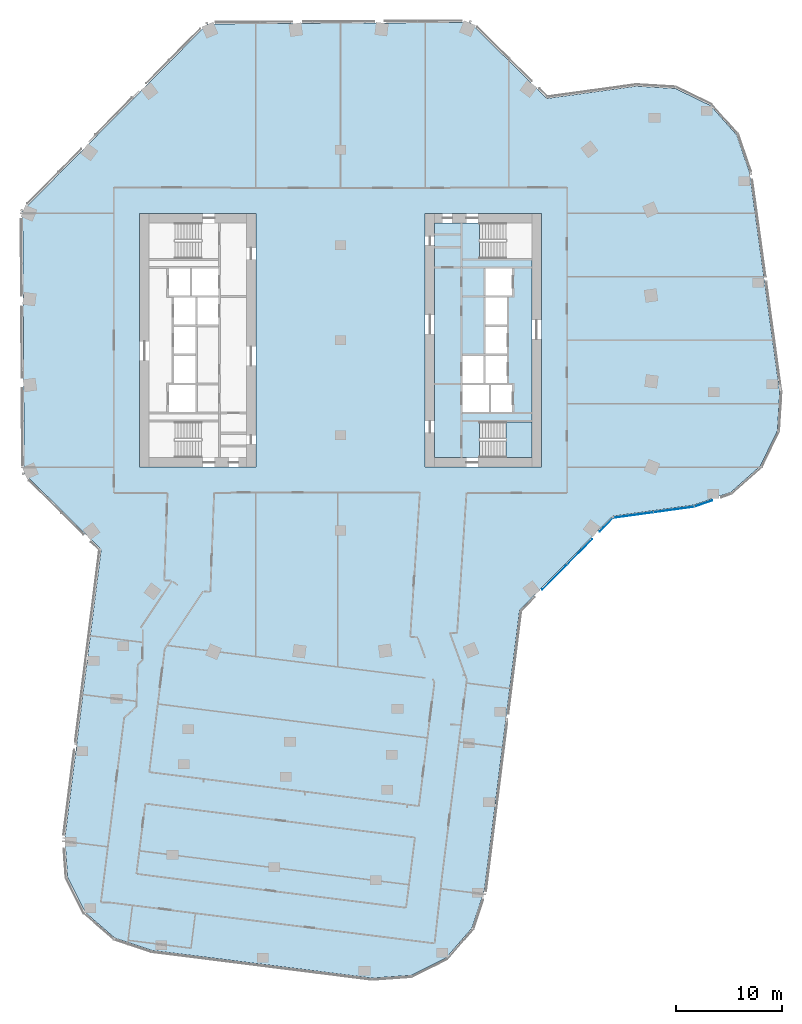
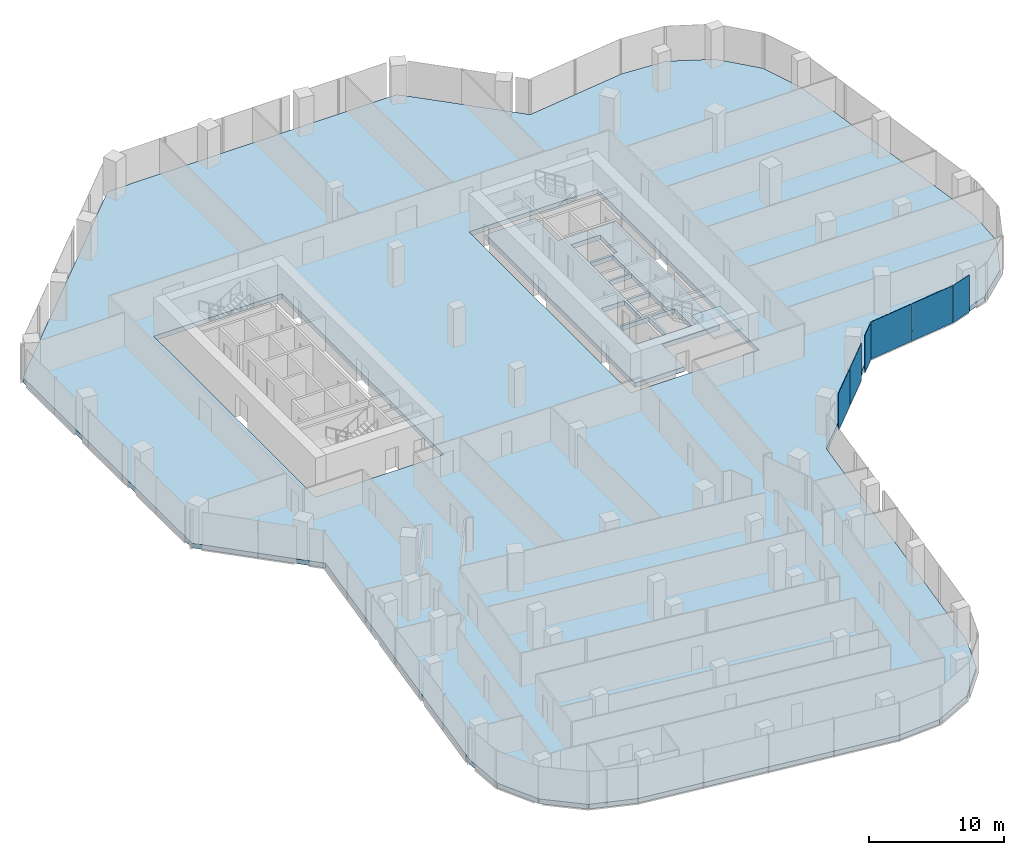
# One storey, part 15 of 27: 6 plates, 3 slabs, 4 elements without a shape of their own.
"""IFC4 building model written with IfcOpenShell, lengths in metres."""

from ifc_helpers import new_model, si_unit, direction, frame, origin, origin_2d, place, context, subcontext, project, spatial, polyline, rectangle, outline, extrude, material, layer, layer_set, type_object, element, aggregate, save


model = new_model("IFC4")

# Units and contexts
model_context = context("Model", 3, precision=1e-05, world=origin(), true_north=direction((0.0, 1.0)))
body_context = subcontext(model_context, "Body", "Model", "MODEL_VIEW")
ifc_project = project(units=[si_unit("LENGTHUNIT", "METRE"), si_unit("AREAUNIT", "SQUARE_METRE"), si_unit("VOLUMEUNIT", "CUBIC_METRE"), si_unit("PLANEANGLEUNIT", "RADIAN"), si_unit("MASSUNIT", "GRAM", prefix="KILO")], contexts=[model_context])

# Site, building, storey
site_placement = place(None, origin())
site = spatial("IfcSite", under=ifc_project, at=site_placement, CompositionType="ELEMENT")
building_placement = place(site_placement, origin())
building = spatial("IfcBuilding", under=site, at=building_placement, Name="Orlundy Tower", CompositionType="ELEMENT")
storey_placement = place(building_placement, frame((0.0, 0.0, 192.10009765625)))
storey = spatial("IfcBuildingStorey", under=building, at=storey_placement, Name="L50", CompositionType="ELEMENT", Elevation=192.10009765625)

# Curtain wall, plate
ifc_material_1 = material(Name="Aluminium bronze anodised", Category="aluminium")
curtain_wall_type = type_object("IfcCurtainWallType", Name="CW1 wall", PredefinedType="NOTDEFINED", material=ifc_material_1)
curtain_wall_1_placement = place(storey_placement, origin())
curtain_wall_1 = element("IfcCurtainWall", 1, at=curtain_wall_1_placement, inside=storey, type_object=curtain_wall_type, Name="CW1 run 015", PredefinedType="NOTDEFINED")
ifc_material_2 = material(Name="Tinted glass", Category="glass")
ifc_layer_1 = layer(ifc_material_2, 0.031982421875)
ifc_layer_set_1 = layer_set([ifc_layer_1], Name="CW1 glass panel 32")
plate_type = type_object("IfcPlateType", Name="CW1 glass panel 32", PredefinedType="CURTAIN_PANEL", material=ifc_layer_set_1)
plate_1_placement = place(storey_placement, frame((34.3330078125, -15.451416015625, -0.300048828125), z_axis=(0.0, 0.0, 1.0), x_axis=(-0.945034174317, -0.32697157273, 0.0)))
plate_1 = element("IfcPlate", 2, at=plate_1_placement, type_object=plate_type, Name="CW1 panel", PredefinedType="CURTAIN_PANEL", context=body_context, shape_type="SweptSolid", body=[
    extrude(rectangle(XDim=1.764892578125, YDim=0.031982421875, at=origin_2d()), origin(), (0.0, 0.0, 1.0), 3.3798828125),
])
aggregate(curtain_wall_1, [plate_1])

# Curtain wall, plates
curtain_wall_2_placement = place(storey_placement, origin())
curtain_wall_2 = element("IfcCurtainWall", 3, at=curtain_wall_2_placement, inside=storey, type_object=curtain_wall_type, Name="CW1 run 016", PredefinedType="NOTDEFINED")
plate_2_placement = place(storey_placement, frame((31.539306640625, -16.0146484375, -0.300048828125), z_axis=(0.0, 0.0, 1.0), x_axis=(-0.990668435814, -0.13629398476, 0.0)))
plate_2 = element("IfcPlate", 4, at=plate_2_placement, type_object=plate_type, Name="CW1 panel", PredefinedType="CURTAIN_PANEL", context=body_context, shape_type="SweptSolid", body=[
    extrude(rectangle(XDim=3.8583984375, YDim=0.031982421875, at=origin_2d()), origin(), (0.0, 0.0, 1.0), 3.3798828125),
])
plate_3_placement = place(storey_placement, frame((27.6904296875, -16.544189453125, -0.300048828125), z_axis=(0.0, 0.0, 1.0), x_axis=(-0.990668435814, -0.13629398476, 0.0)))
plate_3 = element("IfcPlate", 5, at=plate_3_placement, type_object=plate_type, Name="CW1 panel", PredefinedType="CURTAIN_PANEL", context=body_context, shape_type="SweptSolid", body=[
    extrude(rectangle(XDim=3.811767578125, YDim=0.031982421875, at=origin_2d()), origin(), (0.0, 0.0, 1.0), 3.3798828125),
])
aggregate(curtain_wall_2, [plate_2, plate_3])

curtain_wall_3_placement = place(storey_placement, origin())
curtain_wall_3 = element("IfcCurtainWall", 6, at=curtain_wall_3_placement, inside=storey, type_object=curtain_wall_type, Name="CW1 run 017", PredefinedType="NOTDEFINED")
plate_4_placement = place(storey_placement, frame((25.166259765625, -17.44775390625, -0.300048828125), z_axis=(0.0, 0.0, 1.0), x_axis=(-0.702970467781, -0.711219038994, 0.0)))
plate_4 = element("IfcPlate", 7, at=plate_4_placement, type_object=plate_type, Name="CW1 panel", PredefinedType="CURTAIN_PANEL", context=body_context, shape_type="SweptSolid", body=[
    extrude(rectangle(XDim=1.810302734375, YDim=0.031982421875, at=origin_2d()), origin(), (0.0, 0.0, 1.0), 3.3798828125),
])
plate_5_placement = place(storey_placement, frame((22.641357421875, -20.002197265625, -0.300048828125), z_axis=(0.0, 0.0, 1.0), x_axis=(-0.702970467781, -0.711219038994, 0.0)))
plate_5 = element("IfcPlate", 8, at=plate_5_placement, type_object=plate_type, Name="CW1 panel", PredefinedType="CURTAIN_PANEL", context=body_context, shape_type="SweptSolid", body=[
    extrude(rectangle(XDim=3.33203125, YDim=0.031982421875, at=origin_2d()), origin(), (0.0, 0.0, 1.0), 3.3798828125),
])
plate_6_placement = place(storey_placement, frame((20.263916015625, -22.407470703125, -0.300048828125), z_axis=(0.0, 0.0, 1.0), x_axis=(-0.702970467781, -0.711219038994, 0.0)))
plate_6 = element("IfcPlate", 9, at=plate_6_placement, type_object=plate_type, Name="CW1 panel", PredefinedType="CURTAIN_PANEL", context=body_context, shape_type="SweptSolid", body=[
    extrude(rectangle(XDim=3.33203125, YDim=0.031982421875, at=origin_2d()), origin(), (0.0, 0.0, 1.0), 3.3798828125),
])
aggregate(curtain_wall_3, [plate_4, plate_5, plate_6])

# Slab
ifc_material_3 = material(Name="Concrete C50/60", Category="concrete")
ifc_layer_2 = layer(ifc_material_3, 0.419921875)
ifc_layer_set_2 = layer_set([ifc_layer_2], Name="Core Floor Slab 420")
slab_type_1 = type_object("IfcSlabType", Name="Core Floor Slab 420", PredefinedType="FLOOR", material=ifc_layer_set_2)
slab_1_placement = place(storey_placement, frame((0.0, 0.0, -0.420166015625)))
element("IfcSlab", 10, at=slab_1_placement, inside=storey, type_object=slab_type_1, Name="Core floor E39", PredefinedType="FLOOR", context=body_context, shape_type="SweptSolid", body=[
    extrude(outline(polyline([(13.14501953125, 11.10009765625), (13.14501953125, 7.75), (18.10009765625, 7.75), (18.10009765625, -7.75), (13.14501953125, -7.75), (13.14501953125, -11.10009765625), (8.89990234375, -11.10009765625), (8.89990234375, 11.10009765625), (13.14501953125, 11.10009765625)]), holes=[polyline([(13.739990234375, 4.22509765625), (16.239990234375, 4.22509765625), (16.239990234375, 6.77490234375), (13.739990234375, 6.77490234375), (13.739990234375, 4.22509765625)]), polyline([(13.739990234375, 4.02490234375), (13.739990234375, 1.47509765625), (15.739990234375, 1.47509765625), (15.739990234375, 4.02490234375), (13.739990234375, 4.02490234375)]), polyline([(15.739990234375, 1.27490234375), (13.739990234375, 1.27490234375), (13.739990234375, -1.27490234375), (15.739990234375, -1.27490234375), (15.739990234375, 1.27490234375)]), polyline([(13.5400390625, -4.02490234375), (13.5400390625, -1.47509765625), (11.5400390625, -1.47509765625), (11.5400390625, -4.02490234375), (13.5400390625, -4.02490234375)]), polyline([(13.739990234375, -4.02490234375), (15.739990234375, -4.02490234375), (15.739990234375, -1.47509765625), (13.739990234375, -1.47509765625), (13.739990234375, -4.02490234375)]), polyline([(11.5400390625, -4.22509765625), (11.5400390625, -6.77490234375), (14.0400390625, -6.77490234375), (14.0400390625, -4.22509765625), (11.5400390625, -4.22509765625)]), polyline([(16.239990234375, -4.22509765625), (14.239990234375, -4.22509765625), (14.239990234375, -6.77490234375), (16.239990234375, -6.77490234375), (16.239990234375, -4.22509765625)])]), origin(), (0.0, 0.0, 1.0), 0.420166015625),
])

# Stair, slab
ifc_material_4 = material(Name="Concrete C50/60", Category="concrete")
stair_type = type_object("IfcStairType", Name="Exit Stair 20 risers", PredefinedType="HALF_TURN_STAIR", material=ifc_material_4)
stair_placement = place(storey_placement, origin())
stair = element("IfcStair", 11, at=stair_placement, inside=storey, type_object=stair_type, Name="L50 Exit Stair ST-E1", PredefinedType="HALF_TURN_STAIR")
ifc_material_5 = material(Name="Concrete C50/60", Category="concrete")
ifc_layer_3 = layer(ifc_material_5, 0.199951171875)
ifc_layer_set_3 = layer_set([ifc_layer_3], Name="Exit Stair Landing")
slab_type_2 = type_object("IfcSlabType", Name="Exit Stair Landing", PredefinedType="LANDING", material=ifc_layer_set_3)
slab_2_placement = place(storey_placement, frame((0.0, 0.0, 1.5498046875)))
slab_2 = element("IfcSlab", 12, at=slab_2_placement, type_object=slab_type_2, Name="ST-E1 landing 1", PredefinedType="LANDING", context=body_context, shape_type="SweptSolid", body=[
    extrude(outline(polyline([(15.659912109375, -11.10009765625), (18.10009765625, -11.10009765625), (18.10009765625, -7.75), (15.659912109375, -7.75), (15.659912109375, -11.10009765625)])), origin(), (0.0, 0.0, 1.0), 0.2001953125),
])
aggregate(stair, [slab_2])

# Slab
ifc_material_6 = material(Name="Concrete C45/55", Category="concrete")
ifc_layer_4 = layer(ifc_material_6, 0.419921875)
ifc_layer_set_4 = layer_set([ifc_layer_4], Name="TRANSFER FLOOR SLAB 420 C45/55")
slab_type_3 = type_object("IfcSlabType", Name="TRANSFER FLOOR SLAB 420 C45/55", PredefinedType="FLOOR", material=ifc_layer_set_4)
slab_3_placement = place(storey_placement, frame((0.0, 0.0, -0.420166015625)))
element("IfcSlab", 13, at=slab_3_placement, inside=storey, type_object=slab_type_3, Name="Floor slab L50", PredefinedType="FLOOR", context=body_context, shape_type="SweptSolid", body=[
    extrude(outline(polyline([(-22.64697265625, -19.797119140625), (-29.927001953125, -12.60107421875), (-30.072021484375, 12.251953125), (-12.60107421875, 29.927001953125), (12.251953125, 30.072021484375), (19.531982421875, 22.8759765625), (27.985107421875, 24.0380859375), (31.68505859375, 23.818115234375), (35.01904296875, 22.197021484375), (37.47900390625, 19.425048828125), (38.69091796875, 15.922119140625), (41.552978515625, -4.882080078125), (41.33203125, -8.58203125), (39.7119140625, -11.916015625), (36.93994140625, -14.3759765625), (33.43701171875, -15.587890625), (25.72509765625, -16.64892578125), (16.947021484375, -25.530029296875), (13.60595703125, -52.10400390625), (12.43505859375, -55.62109375), (10.007080078125, -58.422119140625), (6.69189453125, -60.0810546875), (2.9951171875, -60.344970703125), (-17.841064453125, -57.72509765625), (-21.35791015625, -56.553955078125), (-24.158935546875, -54.1259765625), (-25.818115234375, -50.81201171875), (-26.08203125, -47.114013671875), (-22.64697265625, -19.797119140625)]), holes=[polyline([(-8.0, -12.0), (-8.0, 12.0), (-19.0, 12.0), (-19.0, -12.0), (-8.0, -12.0)]), polyline([(19.0, -12.0), (19.0, 12.0), (8.0, 12.0), (8.0, -12.0), (19.0, -12.0)])]), origin(), (0.0, 0.0, 1.0), 0.420166015625),
])

save(model, "model.ifc")
